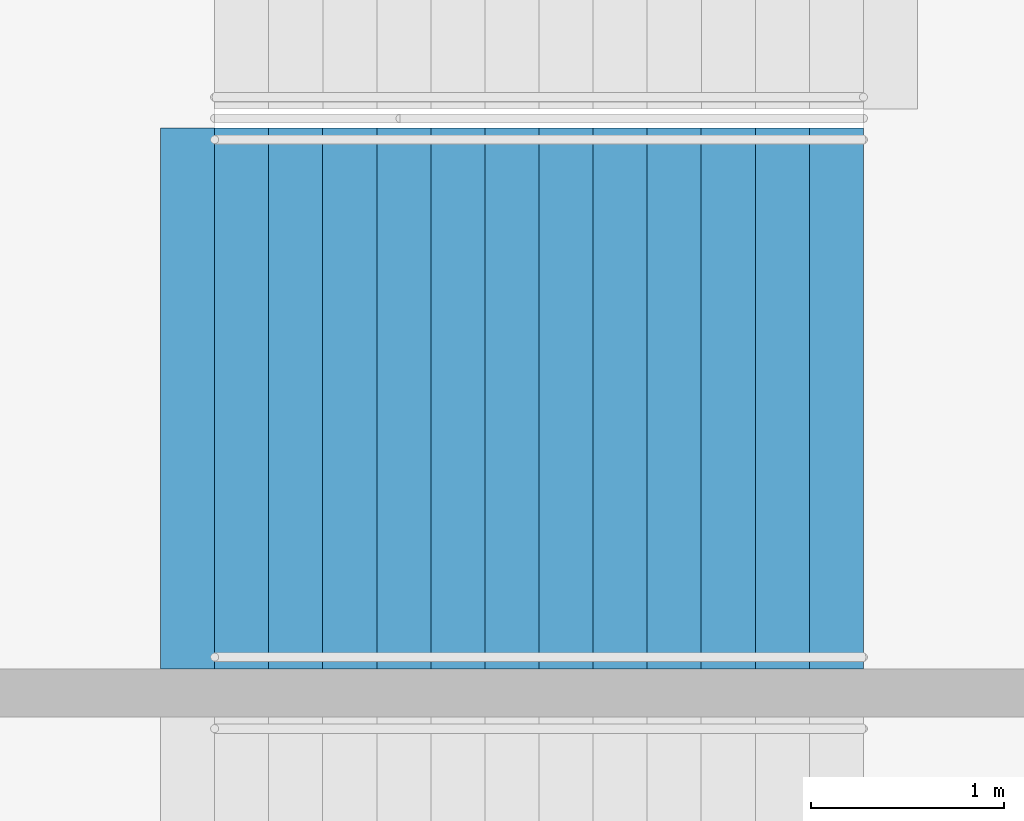
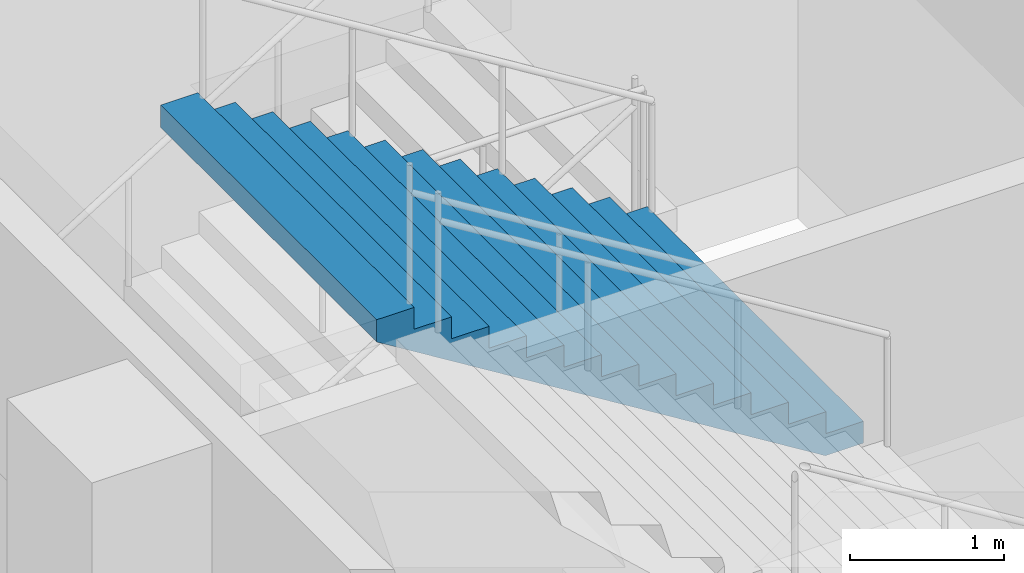
# One storey, part 177 of 249: 1 stair flight, 1 element without a shape of its own.
"""IFC4 building model written with IfcOpenShell, lengths in metres."""

from ifc_helpers import new_model, si_unit, direction, frame, origin, place, context, subcontext, project, spatial, faceted_brep, material, type_object, element, aggregate, save


model = new_model("IFC4")

# Units and contexts
model_context = context("Model", 3, precision=1e-05, world=origin(), true_north=direction((0.0, 1.0)))
body_context = subcontext(model_context, "Body", "Model", "MODEL_VIEW")
ifc_project = project(units=[si_unit("LENGTHUNIT", "METRE"), si_unit("AREAUNIT", "SQUARE_METRE"), si_unit("VOLUMEUNIT", "CUBIC_METRE"), si_unit("PLANEANGLEUNIT", "RADIAN"), si_unit("MASSUNIT", "GRAM", prefix="KILO")], contexts=[model_context])

# Site, building, storey
site_placement = place(None, origin())
site = spatial("IfcSite", under=ifc_project, at=site_placement, CompositionType="ELEMENT")
building_placement = place(site_placement, origin())
building = spatial("IfcBuilding", under=site, at=building_placement, Name="Ogive Plaza Stadium", CompositionType="ELEMENT")
storey_placement = place(building_placement, frame((0.0, 0.0, 13.5)))
storey = spatial("IfcBuildingStorey", under=building, at=storey_placement, Name="L03", CompositionType="ELEMENT", Elevation=13.5)

# Stair, stair flight
ifc_material_1 = material(Name="Concrete C40/50", Category="concrete")
stair_type = type_object("IfcStairType", Name="Exit stair", PredefinedType="STRAIGHT_RUN_STAIR", material=ifc_material_1)
stair_placement = place(storey_placement, origin())
stair = element("IfcStair", 1, at=stair_placement, inside=storey, type_object=stair_type, Name="Exit stair ST08B L03 to L04", PredefinedType="STRAIGHT_RUN_STAIR")
ifc_material_2 = material(Name="Concrete C40/50", Category="concrete")
stair_flight_type = type_object("IfcStairFlightType", Name="Exit stair flight", PredefinedType="STRAIGHT", material=ifc_material_2)
stair_flight_placement = place(storey_placement, frame((79.7099609375, -50.97509765625, 2.25), z_axis=(0.0, 0.0, 1.0), x_axis=(-1.0, 0.0, 0.0)))
stair_flight = element("IfcStairFlight", 2, at=stair_flight_placement, type_object=stair_flight_type, Name="ST08B flight 2", NumberOfRisers=13, NumberOfTreads=12, PredefinedType="STRAIGHT", RiserHeight=0.173076923, TreadLength=0.28, context=body_context, shape_type="Brep", body=[
    faceted_brep([(0.28515625, -1.39990234375, 0.0), (3.639892578125, -1.39990234375, 2.07373046875), (3.639892578125, -1.39990234375, 2.25), (3.360107421875, -1.39990234375, 2.25), (3.360107421875, -1.39990234375, 2.076904296875), (3.080078125, -1.39990234375, 2.076904296875), (3.080078125, -1.39990234375, 1.90380859375), (2.800048828125, -1.39990234375, 1.90380859375), (2.800048828125, -1.39990234375, 1.730712890625), (2.52001953125, -1.39990234375, 1.730712890625), (2.52001953125, -1.39990234375, 1.5576171875), (2.239990234375, -1.39990234375, 1.5576171875), (2.239990234375, -1.39990234375, 1.384521484375), (1.9599609375, -1.39990234375, 1.384521484375), (1.9599609375, -1.39990234375, 1.21142578125), (1.679931640625, -1.39990234375, 1.21142578125), (1.679931640625, -1.39990234375, 1.03857421875), (1.39990234375, -1.39990234375, 1.03857421875), (1.39990234375, -1.39990234375, 0.865478515625), (1.1201171875, -1.39990234375, 0.865478515625), (1.1201171875, -1.39990234375, 0.6923828125), (0.840087890625, -1.39990234375, 0.6923828125), (0.840087890625, -1.39990234375, 0.519287109375), (0.56005859375, -1.39990234375, 0.519287109375), (0.56005859375, -1.39990234375, 0.34619140625), (0.280029296875, -1.39990234375, 0.34619140625), (0.280029296875, -1.39990234375, 0.173095703125), (0.0, -1.39990234375, 0.173095703125), (0.0, -1.39990234375, 0.0), (0.0, 1.39990234375, 0.0), (0.0, 1.39990234375, 0.173095703125), (0.280029296875, 1.39990234375, 0.173095703125), (0.280029296875, 1.39990234375, 0.34619140625), (0.56005859375, 1.39990234375, 0.34619140625), (0.56005859375, 1.39990234375, 0.519287109375), (0.840087890625, 1.39990234375, 0.519287109375), (0.840087890625, 1.39990234375, 0.6923828125), (1.1201171875, 1.39990234375, 0.6923828125), (1.1201171875, 1.39990234375, 0.865478515625), (1.39990234375, 1.39990234375, 0.865478515625), (1.39990234375, 1.39990234375, 1.03857421875), (1.679931640625, 1.39990234375, 1.03857421875), (1.679931640625, 1.39990234375, 1.21142578125), (1.9599609375, 1.39990234375, 1.21142578125), (1.9599609375, 1.39990234375, 1.384521484375), (2.239990234375, 1.39990234375, 1.384521484375), (2.239990234375, 1.39990234375, 1.5576171875), (2.52001953125, 1.39990234375, 1.5576171875), (2.52001953125, 1.39990234375, 1.730712890625), (2.800048828125, 1.39990234375, 1.730712890625), (2.800048828125, 1.39990234375, 1.90380859375), (3.080078125, 1.39990234375, 1.90380859375), (3.080078125, 1.39990234375, 2.076904296875), (3.360107421875, 1.39990234375, 2.076904296875), (3.360107421875, 1.39990234375, 2.25), (3.639892578125, 1.39990234375, 2.25), (3.639892578125, 1.39990234375, 2.07373046875), (0.28515625, 1.39990234375, 0.0), (0.28515625, -1.0888671875, 0.0), (3.639892578125, -1.0888671875, 2.07373046875), (0.28515625, -0.77783203125, 0.0), (3.639892578125, -0.77783203125, 2.07373046875), (0.28515625, -0.466796875, 0.0), (3.639892578125, -0.466796875, 2.07373046875), (0.28515625, -0.155517578125, 0.0), (3.639892578125, -0.155517578125, 2.07373046875), (0.28515625, 0.155517578125, 0.0), (3.639892578125, 0.155517578125, 2.07373046875), (0.28515625, 0.466796875, 0.0), (3.639892578125, 0.466796875, 2.07373046875), (0.28515625, 0.77783203125, 0.0), (3.639892578125, 0.77783203125, 2.07373046875), (0.28515625, 1.0888671875, 0.0), (3.639892578125, 1.0888671875, 2.07373046875), (3.639892578125, -1.0888671875, 2.25), (3.639892578125, -0.77783203125, 2.25), (3.639892578125, -0.466796875, 2.25), (3.639892578125, -0.155517578125, 2.25), (3.639892578125, 0.155517578125, 2.25), (3.639892578125, 0.466796875, 2.25), (3.639892578125, 0.77783203125, 2.25), (3.639892578125, 1.0888671875, 2.25), (3.360107421875, -1.0888671875, 2.25), (3.360107421875, -0.77783203125, 2.25), (3.360107421875, -0.466796875, 2.25), (3.360107421875, -0.155517578125, 2.25), (3.360107421875, 0.155517578125, 2.25), (3.360107421875, 0.466796875, 2.25), (3.360107421875, 0.77783203125, 2.25), (3.360107421875, 1.0888671875, 2.25), (3.360107421875, -1.0888671875, 2.076904296875), (3.360107421875, -0.77783203125, 2.076904296875), (3.360107421875, -0.466796875, 2.076904296875), (3.360107421875, -0.155517578125, 2.076904296875), (3.360107421875, 0.155517578125, 2.076904296875), (3.360107421875, 0.466796875, 2.076904296875), (3.360107421875, 0.77783203125, 2.076904296875), (3.360107421875, 1.0888671875, 2.076904296875), (3.080078125, -1.0888671875, 2.076904296875), (3.080078125, -0.77783203125, 2.076904296875), (3.080078125, -0.466796875, 2.076904296875), (3.080078125, -0.155517578125, 2.076904296875), (3.080078125, 0.155517578125, 2.076904296875), (3.080078125, 0.466796875, 2.076904296875), (3.080078125, 0.77783203125, 2.076904296875), (3.080078125, 1.0888671875, 2.076904296875), (3.080078125, -1.0888671875, 1.90380859375), (3.080078125, -0.77783203125, 1.90380859375), (3.080078125, -0.466796875, 1.90380859375), (3.080078125, -0.155517578125, 1.90380859375), (3.080078125, 0.155517578125, 1.90380859375), (3.080078125, 0.466796875, 1.90380859375), (3.080078125, 0.77783203125, 1.90380859375), (3.080078125, 1.0888671875, 1.90380859375), (2.800048828125, -1.0888671875, 1.90380859375), (2.800048828125, -0.77783203125, 1.90380859375), (2.800048828125, -0.466796875, 1.90380859375), (2.800048828125, -0.155517578125, 1.90380859375), (2.800048828125, 0.155517578125, 1.90380859375), (2.800048828125, 0.466796875, 1.90380859375), (2.800048828125, 0.77783203125, 1.90380859375), (2.800048828125, 1.0888671875, 1.90380859375), (2.800048828125, -1.0888671875, 1.730712890625), (2.800048828125, -0.77783203125, 1.730712890625), (2.800048828125, -0.466796875, 1.730712890625), (2.800048828125, -0.155517578125, 1.730712890625), (2.800048828125, 0.155517578125, 1.730712890625), (2.800048828125, 0.466796875, 1.730712890625), (2.800048828125, 0.77783203125, 1.730712890625), (2.800048828125, 1.0888671875, 1.730712890625), (2.52001953125, -1.0888671875, 1.730712890625), (2.52001953125, -0.77783203125, 1.730712890625), (2.52001953125, -0.466796875, 1.730712890625), (2.52001953125, -0.155517578125, 1.730712890625), (2.52001953125, 0.155517578125, 1.730712890625), (2.52001953125, 0.466796875, 1.730712890625), (2.52001953125, 0.77783203125, 1.730712890625), (2.52001953125, 1.0888671875, 1.730712890625), (2.52001953125, -1.0888671875, 1.5576171875), (2.52001953125, -0.77783203125, 1.5576171875), (2.52001953125, -0.466796875, 1.5576171875), (2.52001953125, -0.155517578125, 1.5576171875), (2.52001953125, 0.155517578125, 1.5576171875), (2.52001953125, 0.466796875, 1.5576171875), (2.52001953125, 0.77783203125, 1.5576171875), (2.52001953125, 1.0888671875, 1.5576171875), (2.239990234375, -1.0888671875, 1.5576171875), (2.239990234375, -0.77783203125, 1.5576171875), (2.239990234375, -0.466796875, 1.5576171875), (2.239990234375, -0.155517578125, 1.5576171875), (2.239990234375, 0.155517578125, 1.5576171875), (2.239990234375, 0.466796875, 1.5576171875), (2.239990234375, 0.77783203125, 1.5576171875), (2.239990234375, 1.0888671875, 1.5576171875), (2.239990234375, -1.0888671875, 1.384521484375), (2.239990234375, -0.77783203125, 1.384521484375), (2.239990234375, -0.466796875, 1.384521484375), (2.239990234375, -0.155517578125, 1.384521484375), (2.239990234375, 0.155517578125, 1.384521484375), (2.239990234375, 0.466796875, 1.384521484375), (2.239990234375, 0.77783203125, 1.384521484375), (2.239990234375, 1.0888671875, 1.384521484375), (1.9599609375, -1.0888671875, 1.384521484375), (1.9599609375, -0.77783203125, 1.384521484375), (1.9599609375, -0.466796875, 1.384521484375), (1.9599609375, -0.155517578125, 1.384521484375), (1.9599609375, 0.155517578125, 1.384521484375), (1.9599609375, 0.466796875, 1.384521484375), (1.9599609375, 0.77783203125, 1.384521484375), (1.9599609375, 1.0888671875, 1.384521484375), (1.9599609375, -1.0888671875, 1.21142578125), (1.9599609375, -0.77783203125, 1.21142578125), (1.9599609375, -0.466796875, 1.21142578125), (1.9599609375, -0.155517578125, 1.21142578125), (1.9599609375, 0.155517578125, 1.21142578125), (1.9599609375, 0.466796875, 1.21142578125), (1.9599609375, 0.77783203125, 1.21142578125), (1.9599609375, 1.0888671875, 1.21142578125), (1.679931640625, -1.0888671875, 1.21142578125), (1.679931640625, -0.77783203125, 1.21142578125), (1.679931640625, -0.466796875, 1.21142578125), (1.679931640625, -0.155517578125, 1.21142578125), (1.679931640625, 0.155517578125, 1.21142578125), (1.679931640625, 0.466796875, 1.21142578125), (1.679931640625, 0.77783203125, 1.21142578125), (1.679931640625, 1.0888671875, 1.21142578125), (1.679931640625, -1.0888671875, 1.03857421875), (1.679931640625, -0.77783203125, 1.03857421875), (1.679931640625, -0.466796875, 1.03857421875), (1.679931640625, -0.155517578125, 1.03857421875), (1.679931640625, 0.155517578125, 1.03857421875), (1.679931640625, 0.466796875, 1.03857421875), (1.679931640625, 0.77783203125, 1.03857421875), (1.679931640625, 1.0888671875, 1.03857421875), (1.39990234375, -1.0888671875, 1.03857421875), (1.39990234375, -0.77783203125, 1.03857421875), (1.39990234375, -0.466796875, 1.03857421875), (1.39990234375, -0.155517578125, 1.03857421875), (1.39990234375, 0.155517578125, 1.03857421875), (1.39990234375, 0.466796875, 1.03857421875), (1.39990234375, 0.77783203125, 1.03857421875), (1.39990234375, 1.0888671875, 1.03857421875), (1.39990234375, -1.0888671875, 0.865478515625), (1.39990234375, -0.77783203125, 0.865478515625), (1.39990234375, -0.466796875, 0.865478515625), (1.39990234375, -0.155517578125, 0.865478515625), (1.39990234375, 0.155517578125, 0.865478515625), (1.39990234375, 0.466796875, 0.865478515625), (1.39990234375, 0.77783203125, 0.865478515625), (1.39990234375, 1.0888671875, 0.865478515625), (1.1201171875, -1.0888671875, 0.865478515625), (1.1201171875, -0.77783203125, 0.865478515625), (1.1201171875, -0.466796875, 0.865478515625), (1.1201171875, -0.155517578125, 0.865478515625), (1.1201171875, 0.155517578125, 0.865478515625), (1.1201171875, 0.466796875, 0.865478515625), (1.1201171875, 0.77783203125, 0.865478515625), (1.1201171875, 1.0888671875, 0.865478515625), (1.1201171875, -1.0888671875, 0.6923828125), (1.1201171875, -0.77783203125, 0.6923828125), (1.1201171875, -0.466796875, 0.6923828125), (1.1201171875, -0.155517578125, 0.6923828125), (1.1201171875, 0.155517578125, 0.6923828125), (1.1201171875, 0.466796875, 0.6923828125), (1.1201171875, 0.77783203125, 0.6923828125), (1.1201171875, 1.0888671875, 0.6923828125), (0.840087890625, -1.0888671875, 0.6923828125), (0.840087890625, -0.77783203125, 0.6923828125), (0.840087890625, -0.466796875, 0.6923828125), (0.840087890625, -0.155517578125, 0.6923828125), (0.840087890625, 0.155517578125, 0.6923828125), (0.840087890625, 0.466796875, 0.6923828125), (0.840087890625, 0.77783203125, 0.6923828125), (0.840087890625, 1.0888671875, 0.6923828125), (0.840087890625, -1.0888671875, 0.519287109375), (0.840087890625, -0.77783203125, 0.519287109375), (0.840087890625, -0.466796875, 0.519287109375), (0.840087890625, -0.155517578125, 0.519287109375), (0.840087890625, 0.155517578125, 0.519287109375), (0.840087890625, 0.466796875, 0.519287109375), (0.840087890625, 0.77783203125, 0.519287109375), (0.840087890625, 1.0888671875, 0.519287109375), (0.56005859375, -1.0888671875, 0.519287109375), (0.56005859375, -0.77783203125, 0.519287109375), (0.56005859375, -0.466796875, 0.519287109375), (0.56005859375, -0.155517578125, 0.519287109375), (0.56005859375, 0.155517578125, 0.519287109375), (0.56005859375, 0.466796875, 0.519287109375), (0.56005859375, 0.77783203125, 0.519287109375), (0.56005859375, 1.0888671875, 0.519287109375), (0.56005859375, -1.0888671875, 0.34619140625), (0.56005859375, -0.77783203125, 0.34619140625), (0.56005859375, -0.466796875, 0.34619140625), (0.56005859375, -0.155517578125, 0.34619140625), (0.56005859375, 0.155517578125, 0.34619140625), (0.56005859375, 0.466796875, 0.34619140625), (0.56005859375, 0.77783203125, 0.34619140625), (0.56005859375, 1.0888671875, 0.34619140625), (0.280029296875, -1.0888671875, 0.34619140625), (0.280029296875, -0.77783203125, 0.34619140625), (0.280029296875, -0.466796875, 0.34619140625), (0.280029296875, -0.155517578125, 0.34619140625), (0.280029296875, 0.155517578125, 0.34619140625), (0.280029296875, 0.466796875, 0.34619140625), (0.280029296875, 0.77783203125, 0.34619140625), (0.280029296875, 1.0888671875, 0.34619140625), (0.280029296875, -1.0888671875, 0.173095703125), (0.280029296875, -0.77783203125, 0.173095703125), (0.280029296875, -0.466796875, 0.173095703125), (0.280029296875, -0.155517578125, 0.173095703125), (0.280029296875, 0.155517578125, 0.173095703125), (0.280029296875, 0.466796875, 0.173095703125), (0.280029296875, 0.77783203125, 0.173095703125), (0.280029296875, 1.0888671875, 0.173095703125), (0.0, -1.0888671875, 0.173095703125), (0.0, -0.77783203125, 0.173095703125), (0.0, -0.466796875, 0.173095703125), (0.0, -0.155517578125, 0.173095703125), (0.0, 0.155517578125, 0.173095703125), (0.0, 0.466796875, 0.173095703125), (0.0, 0.77783203125, 0.173095703125), (0.0, 1.0888671875, 0.173095703125), (0.0, -1.0888671875, 0.0), (0.0, -0.77783203125, 0.0), (0.0, -0.466796875, 0.0), (0.0, -0.155517578125, 0.0), (0.0, 0.155517578125, 0.0), (0.0, 0.466796875, 0.0), (0.0, 0.77783203125, 0.0), (0.0, 1.0888671875, 0.0)], [[[0, 1, 2, 3, 4, 5, 6, 7, 8, 9, 10, 11, 12, 13, 14, 15, 16, 17, 18, 19, 20, 21, 22, 23, 24, 25, 26, 27, 28]], [[29, 30, 31, 32, 33, 34, 35, 36, 37, 38, 39, 40, 41, 42, 43, 44, 45, 46, 47, 48, 49, 50, 51, 52, 53, 54, 55, 56, 57]], [[0, 58, 59, 1]], [[58, 60, 61, 59]], [[60, 62, 63, 61]], [[62, 64, 65, 63]], [[64, 66, 67, 65]], [[66, 68, 69, 67]], [[68, 70, 71, 69]], [[70, 72, 73, 71]], [[72, 57, 56, 73]], [[1, 59, 74, 2]], [[59, 61, 75, 74]], [[61, 63, 76, 75]], [[63, 65, 77, 76]], [[65, 67, 78, 77]], [[67, 69, 79, 78]], [[69, 71, 80, 79]], [[71, 73, 81, 80]], [[73, 56, 55, 81]], [[2, 74, 82, 3]], [[74, 75, 83, 82]], [[75, 76, 84, 83]], [[76, 77, 85, 84]], [[77, 78, 86, 85]], [[78, 79, 87, 86]], [[79, 80, 88, 87]], [[80, 81, 89, 88]], [[81, 55, 54, 89]], [[3, 82, 90, 4]], [[82, 83, 91, 90]], [[83, 84, 92, 91]], [[84, 85, 93, 92]], [[85, 86, 94, 93]], [[86, 87, 95, 94]], [[87, 88, 96, 95]], [[88, 89, 97, 96]], [[89, 54, 53, 97]], [[4, 90, 98, 5]], [[90, 91, 99, 98]], [[91, 92, 100, 99]], [[92, 93, 101, 100]], [[93, 94, 102, 101]], [[94, 95, 103, 102]], [[95, 96, 104, 103]], [[96, 97, 105, 104]], [[97, 53, 52, 105]], [[5, 98, 106, 6]], [[98, 99, 107, 106]], [[99, 100, 108, 107]], [[100, 101, 109, 108]], [[101, 102, 110, 109]], [[102, 103, 111, 110]], [[103, 104, 112, 111]], [[104, 105, 113, 112]], [[105, 52, 51, 113]], [[6, 106, 114, 7]], [[106, 107, 115, 114]], [[107, 108, 116, 115]], [[108, 109, 117, 116]], [[109, 110, 118, 117]], [[110, 111, 119, 118]], [[111, 112, 120, 119]], [[112, 113, 121, 120]], [[113, 51, 50, 121]], [[7, 114, 122, 8]], [[114, 115, 123, 122]], [[115, 116, 124, 123]], [[116, 117, 125, 124]], [[117, 118, 126, 125]], [[118, 119, 127, 126]], [[119, 120, 128, 127]], [[120, 121, 129, 128]], [[121, 50, 49, 129]], [[8, 122, 130, 9]], [[122, 123, 131, 130]], [[123, 124, 132, 131]], [[124, 125, 133, 132]], [[125, 126, 134, 133]], [[126, 127, 135, 134]], [[127, 128, 136, 135]], [[128, 129, 137, 136]], [[129, 49, 48, 137]], [[9, 130, 138, 10]], [[130, 131, 139, 138]], [[131, 132, 140, 139]], [[132, 133, 141, 140]], [[133, 134, 142, 141]], [[134, 135, 143, 142]], [[135, 136, 144, 143]], [[136, 137, 145, 144]], [[137, 48, 47, 145]], [[10, 138, 146, 11]], [[138, 139, 147, 146]], [[139, 140, 148, 147]], [[140, 141, 149, 148]], [[141, 142, 150, 149]], [[142, 143, 151, 150]], [[143, 144, 152, 151]], [[144, 145, 153, 152]], [[145, 47, 46, 153]], [[11, 146, 154, 12]], [[146, 147, 155, 154]], [[147, 148, 156, 155]], [[148, 149, 157, 156]], [[149, 150, 158, 157]], [[150, 151, 159, 158]], [[151, 152, 160, 159]], [[152, 153, 161, 160]], [[153, 46, 45, 161]], [[12, 154, 162, 13]], [[154, 155, 163, 162]], [[155, 156, 164, 163]], [[156, 157, 165, 164]], [[157, 158, 166, 165]], [[158, 159, 167, 166]], [[159, 160, 168, 167]], [[160, 161, 169, 168]], [[161, 45, 44, 169]], [[13, 162, 170, 14]], [[162, 163, 171, 170]], [[163, 164, 172, 171]], [[164, 165, 173, 172]], [[165, 166, 174, 173]], [[166, 167, 175, 174]], [[167, 168, 176, 175]], [[168, 169, 177, 176]], [[169, 44, 43, 177]], [[14, 170, 178, 15]], [[170, 171, 179, 178]], [[171, 172, 180, 179]], [[172, 173, 181, 180]], [[173, 174, 182, 181]], [[174, 175, 183, 182]], [[175, 176, 184, 183]], [[176, 177, 185, 184]], [[177, 43, 42, 185]], [[15, 178, 186, 16]], [[178, 179, 187, 186]], [[179, 180, 188, 187]], [[180, 181, 189, 188]], [[181, 182, 190, 189]], [[182, 183, 191, 190]], [[183, 184, 192, 191]], [[184, 185, 193, 192]], [[185, 42, 41, 193]], [[16, 186, 194, 17]], [[186, 187, 195, 194]], [[187, 188, 196, 195]], [[188, 189, 197, 196]], [[189, 190, 198, 197]], [[190, 191, 199, 198]], [[191, 192, 200, 199]], [[192, 193, 201, 200]], [[193, 41, 40, 201]], [[17, 194, 202, 18]], [[194, 195, 203, 202]], [[195, 196, 204, 203]], [[196, 197, 205, 204]], [[197, 198, 206, 205]], [[198, 199, 207, 206]], [[199, 200, 208, 207]], [[200, 201, 209, 208]], [[201, 40, 39, 209]], [[18, 202, 210, 19]], [[202, 203, 211, 210]], [[203, 204, 212, 211]], [[204, 205, 213, 212]], [[205, 206, 214, 213]], [[206, 207, 215, 214]], [[207, 208, 216, 215]], [[208, 209, 217, 216]], [[209, 39, 38, 217]], [[19, 210, 218, 20]], [[210, 211, 219, 218]], [[211, 212, 220, 219]], [[212, 213, 221, 220]], [[213, 214, 222, 221]], [[214, 215, 223, 222]], [[215, 216, 224, 223]], [[216, 217, 225, 224]], [[217, 38, 37, 225]], [[20, 218, 226, 21]], [[218, 219, 227, 226]], [[219, 220, 228, 227]], [[220, 221, 229, 228]], [[221, 222, 230, 229]], [[222, 223, 231, 230]], [[223, 224, 232, 231]], [[224, 225, 233, 232]], [[225, 37, 36, 233]], [[21, 226, 234, 22]], [[226, 227, 235, 234]], [[227, 228, 236, 235]], [[228, 229, 237, 236]], [[229, 230, 238, 237]], [[230, 231, 239, 238]], [[231, 232, 240, 239]], [[232, 233, 241, 240]], [[233, 36, 35, 241]], [[22, 234, 242, 23]], [[234, 235, 243, 242]], [[235, 236, 244, 243]], [[236, 237, 245, 244]], [[237, 238, 246, 245]], [[238, 239, 247, 246]], [[239, 240, 248, 247]], [[240, 241, 249, 248]], [[241, 35, 34, 249]], [[23, 242, 250, 24]], [[242, 243, 251, 250]], [[243, 244, 252, 251]], [[244, 245, 253, 252]], [[245, 246, 254, 253]], [[246, 247, 255, 254]], [[247, 248, 256, 255]], [[248, 249, 257, 256]], [[249, 34, 33, 257]], [[24, 250, 258, 25]], [[250, 251, 259, 258]], [[251, 252, 260, 259]], [[252, 253, 261, 260]], [[253, 254, 262, 261]], [[254, 255, 263, 262]], [[255, 256, 264, 263]], [[256, 257, 265, 264]], [[257, 33, 32, 265]], [[25, 258, 266, 26]], [[258, 259, 267, 266]], [[259, 260, 268, 267]], [[260, 261, 269, 268]], [[261, 262, 270, 269]], [[262, 263, 271, 270]], [[263, 264, 272, 271]], [[264, 265, 273, 272]], [[265, 32, 31, 273]], [[26, 266, 274, 27]], [[266, 267, 275, 274]], [[267, 268, 276, 275]], [[268, 269, 277, 276]], [[269, 270, 278, 277]], [[270, 271, 279, 278]], [[271, 272, 280, 279]], [[272, 273, 281, 280]], [[273, 31, 30, 281]], [[27, 274, 282, 28]], [[274, 275, 283, 282]], [[275, 276, 284, 283]], [[276, 277, 285, 284]], [[277, 278, 286, 285]], [[278, 279, 287, 286]], [[279, 280, 288, 287]], [[280, 281, 289, 288]], [[281, 30, 29, 289]], [[28, 282, 58, 0]], [[282, 283, 60, 58]], [[283, 284, 62, 60]], [[284, 285, 64, 62]], [[285, 286, 66, 64]], [[286, 287, 68, 66]], [[287, 288, 70, 68]], [[288, 289, 72, 70]], [[289, 29, 57, 72]]]),
])
aggregate(stair, [stair_flight])

save(model, "model.ifc")
